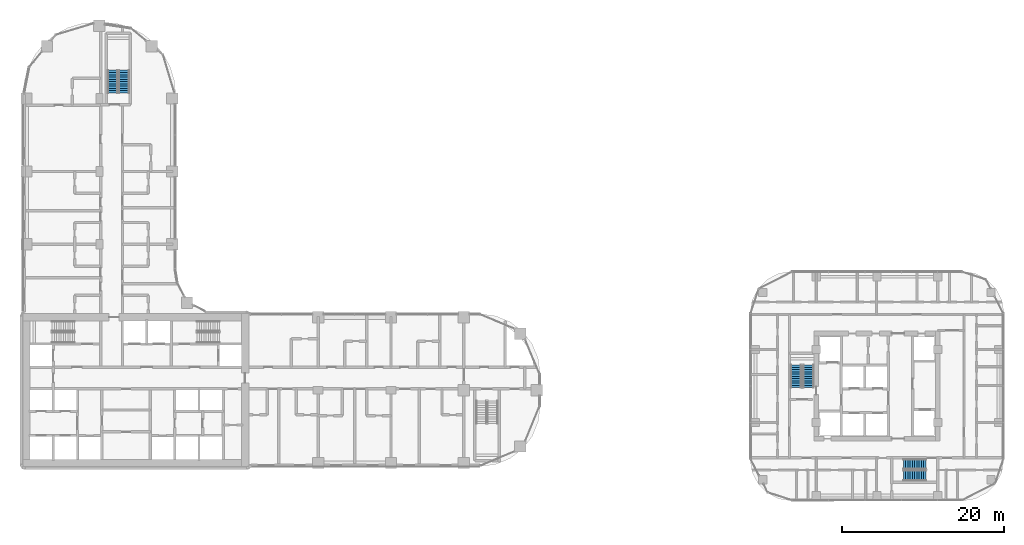
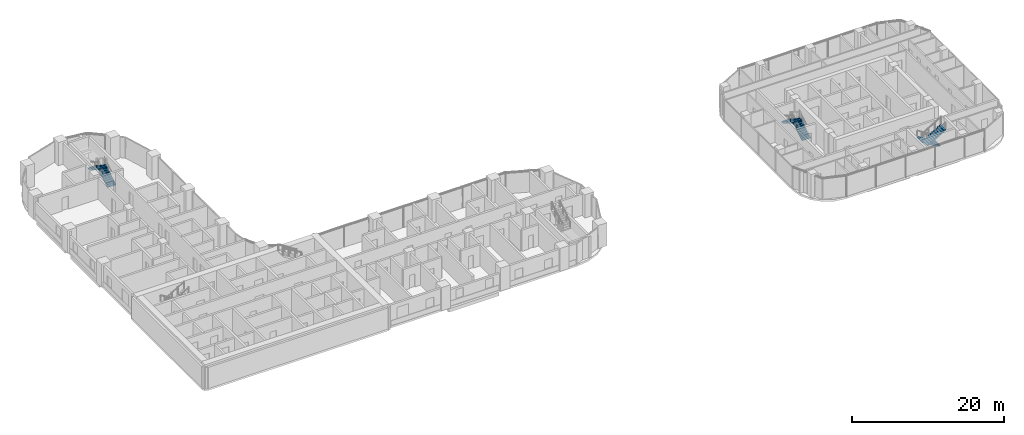
# One storey, part 26 of 31: 6 stair flights, 3 elements without a shape of their own.
"""IFC4 building model written with IfcOpenShell, lengths in metres."""

from ifc_helpers import new_model, si_unit, direction, frame, origin, place, context, subcontext, project, spatial, triangles, source, transform, mapped, material, type_object, element, aggregate, save


model = new_model("IFC4")

# Units and contexts
model_context = context("Model", 3, precision=1e-05, world=origin(), true_north=direction((0.0, 1.0)))
body_context = subcontext(model_context, "Body", "Model", "MODEL_VIEW")
ifc_project = project(units=[si_unit("LENGTHUNIT", "METRE"), si_unit("AREAUNIT", "SQUARE_METRE"), si_unit("VOLUMEUNIT", "CUBIC_METRE"), si_unit("PLANEANGLEUNIT", "RADIAN"), si_unit("MASSUNIT", "GRAM", prefix="KILO")], contexts=[model_context])

# Site, building, storey
site_placement = place(None, origin())
site = spatial("IfcSite", under=ifc_project, at=site_placement, CompositionType="ELEMENT")
building_placement = place(site_placement, origin())
building = spatial("IfcBuilding", under=site, at=building_placement, Name="Ogive Portal Towers", CompositionType="ELEMENT")
storey_placement = place(building_placement, frame((0.0, 0.0, 40.89990234375)))
storey = spatial("IfcBuildingStorey", under=building, at=storey_placement, Name="L08", CompositionType="ELEMENT", Elevation=40.89990234375)

# Stair, stair flights
ifc_material = material(Name="Concrete C40/50", Category="concrete")
stair_type = type_object("IfcStairType", Name="INT-STAIR", PredefinedType="HALF_TURN_STAIR", material=ifc_material)
stair_1_placement = place(storey_placement, origin())
stair_1 = element("IfcStair", 1, at=stair_1_placement, inside=storey, type_object=stair_type, Name="L08 Exit Stair ST-A3", PredefinedType="HALF_TURN_STAIR")
stair_flight_type = type_object("IfcStairFlightType", Name="INT-FLIGHT", PredefinedType="STRAIGHT", material=ifc_material)
shared_shape = source(origin(), body_context, "Body", "Tessellation", [
    triangles([(0.0, -0.650146484375, 0.0), (0.0, -0.376220703125, 0.0), (0.0, -0.192626953125, 0.0), (0.0, -0.081298828125, 0.0), (0.0, -0.024169921875, 0.0), (0.0, -0.003173828125, 0.0), (0.0, 0.0, 0.0), (0.0, 0.0029296875, 0.0), (0.0, 0.02392578125, 0.0), (0.0, 0.0810546875, 0.0), (0.0, 0.1923828125, 0.0), (0.0, 0.3759765625, 0.0), (0.0, 0.64990234375, 0.0), (0.0, -0.650146484375, 0.168212890625), (0.0, -0.376220703125, 0.168212890625), (0.0, -0.192626953125, 0.168212890625), (0.0, -0.081298828125, 0.168212890625), (0.0, -0.024169921875, 0.168212890625), (0.0, -0.003173828125, 0.168212890625), (0.0, 0.0, 0.168212890625), (0.0, 0.0029296875, 0.168212890625), (0.0, 0.02392578125, 0.168212890625), (0.0, 0.0810546875, 0.168212890625), (0.0, 0.1923828125, 0.168212890625), (0.0, 0.3759765625, 0.168212890625), (0.0, 0.64990234375, 0.168212890625), (0.280029296875, -0.650146484375, 0.168212890625), (0.280029296875, -0.376220703125, 0.168212890625), (0.280029296875, -0.192626953125, 0.168212890625), (0.280029296875, -0.081298828125, 0.168212890625), (0.280029296875, -0.024169921875, 0.168212890625), (0.280029296875, -0.003173828125, 0.168212890625), (0.280029296875, 0.0, 0.168212890625), (0.280029296875, 0.0029296875, 0.168212890625), (0.280029296875, 0.02392578125, 0.168212890625), (0.280029296875, 0.0810546875, 0.168212890625), (0.280029296875, 0.1923828125, 0.168212890625), (0.280029296875, 0.3759765625, 0.168212890625), (0.280029296875, 0.64990234375, 0.168212890625), (0.280029296875, -0.650146484375, 0.33642578125), (0.280029296875, -0.376220703125, 0.33642578125), (0.280029296875, -0.192626953125, 0.33642578125), (0.280029296875, -0.081298828125, 0.33642578125), (0.280029296875, -0.024169921875, 0.33642578125), (0.280029296875, -0.003173828125, 0.33642578125), (0.280029296875, 0.0, 0.33642578125), (0.280029296875, 0.0029296875, 0.33642578125), (0.280029296875, 0.02392578125, 0.33642578125), (0.280029296875, 0.0810546875, 0.33642578125), (0.280029296875, 0.1923828125, 0.33642578125), (0.280029296875, 0.3759765625, 0.33642578125), (0.280029296875, 0.64990234375, 0.33642578125), (0.56005859375, -0.650146484375, 0.33642578125), (0.56005859375, -0.376220703125, 0.33642578125), (0.56005859375, -0.192626953125, 0.33642578125), (0.56005859375, -0.081298828125, 0.33642578125), (0.56005859375, -0.024169921875, 0.33642578125), (0.56005859375, -0.003173828125, 0.33642578125), (0.56005859375, 0.0, 0.33642578125), (0.56005859375, 0.0029296875, 0.33642578125), (0.56005859375, 0.02392578125, 0.33642578125), (0.56005859375, 0.0810546875, 0.33642578125), (0.56005859375, 0.1923828125, 0.33642578125), (0.56005859375, 0.3759765625, 0.33642578125), (0.56005859375, 0.64990234375, 0.33642578125), (0.56005859375, -0.650146484375, 0.504638671875), (0.56005859375, -0.376220703125, 0.504638671875), (0.56005859375, -0.192626953125, 0.504638671875), (0.56005859375, -0.081298828125, 0.504638671875), (0.56005859375, -0.024169921875, 0.504638671875), (0.56005859375, -0.003173828125, 0.504638671875), (0.56005859375, 0.0, 0.504638671875), (0.56005859375, 0.0029296875, 0.504638671875), (0.56005859375, 0.02392578125, 0.504638671875), (0.56005859375, 0.0810546875, 0.504638671875), (0.56005859375, 0.1923828125, 0.504638671875), (0.56005859375, 0.3759765625, 0.504638671875), (0.56005859375, 0.64990234375, 0.504638671875), (0.840087890625, -0.650146484375, 0.504638671875), (0.840087890625, -0.376220703125, 0.504638671875), (0.840087890625, -0.192626953125, 0.504638671875), (0.840087890625, -0.081298828125, 0.504638671875), (0.840087890625, -0.024169921875, 0.504638671875), (0.840087890625, -0.003173828125, 0.504638671875), (0.840087890625, 0.0, 0.504638671875), (0.840087890625, 0.0029296875, 0.504638671875), (0.840087890625, 0.02392578125, 0.504638671875), (0.840087890625, 0.0810546875, 0.504638671875), (0.840087890625, 0.1923828125, 0.504638671875), (0.840087890625, 0.3759765625, 0.504638671875), (0.840087890625, 0.64990234375, 0.504638671875), (0.840087890625, -0.650146484375, 0.672607421875), (0.840087890625, -0.376220703125, 0.672607421875), (0.840087890625, -0.192626953125, 0.672607421875), (0.840087890625, -0.081298828125, 0.672607421875), (0.840087890625, -0.024169921875, 0.672607421875), (0.840087890625, -0.003173828125, 0.672607421875), (0.840087890625, 0.0, 0.672607421875), (0.840087890625, 0.0029296875, 0.672607421875), (0.840087890625, 0.02392578125, 0.672607421875), (0.840087890625, 0.0810546875, 0.672607421875), (0.840087890625, 0.1923828125, 0.672607421875), (0.840087890625, 0.3759765625, 0.672607421875), (0.840087890625, 0.64990234375, 0.672607421875), (1.1201171875, -0.650146484375, 0.672607421875), (1.1201171875, -0.376220703125, 0.672607421875), (1.1201171875, -0.192626953125, 0.672607421875), (1.1201171875, -0.081298828125, 0.672607421875), (1.1201171875, -0.024169921875, 0.672607421875), (1.1201171875, -0.003173828125, 0.672607421875), (1.1201171875, 0.0, 0.672607421875), (1.1201171875, 0.0029296875, 0.672607421875), (1.1201171875, 0.02392578125, 0.672607421875), (1.1201171875, 0.0810546875, 0.672607421875), (1.1201171875, 0.1923828125, 0.672607421875), (1.1201171875, 0.3759765625, 0.672607421875), (1.1201171875, 0.64990234375, 0.672607421875), (1.1201171875, -0.650146484375, 0.8408203125), (1.1201171875, -0.376220703125, 0.8408203125), (1.1201171875, -0.192626953125, 0.8408203125), (1.1201171875, -0.081298828125, 0.8408203125), (1.1201171875, -0.024169921875, 0.8408203125), (1.1201171875, -0.003173828125, 0.8408203125), (1.1201171875, 0.0, 0.8408203125), (1.1201171875, 0.0029296875, 0.8408203125), (1.1201171875, 0.02392578125, 0.8408203125), (1.1201171875, 0.0810546875, 0.8408203125), (1.1201171875, 0.1923828125, 0.8408203125), (1.1201171875, 0.3759765625, 0.8408203125), (1.1201171875, 0.64990234375, 0.8408203125), (1.39990234375, -0.650146484375, 0.8408203125), (1.39990234375, -0.376220703125, 0.8408203125), (1.39990234375, -0.192626953125, 0.8408203125), (1.39990234375, -0.081298828125, 0.8408203125), (1.39990234375, -0.024169921875, 0.8408203125), (1.39990234375, -0.003173828125, 0.8408203125), (1.39990234375, 0.0, 0.8408203125), (1.39990234375, 0.0029296875, 0.8408203125), (1.39990234375, 0.02392578125, 0.8408203125), (1.39990234375, 0.0810546875, 0.8408203125), (1.39990234375, 0.1923828125, 0.8408203125), (1.39990234375, 0.3759765625, 0.8408203125), (1.39990234375, 0.64990234375, 0.8408203125), (1.39990234375, -0.650146484375, 1.009033203125), (1.39990234375, -0.376220703125, 1.009033203125), (1.39990234375, -0.192626953125, 1.009033203125), (1.39990234375, -0.081298828125, 1.009033203125), (1.39990234375, -0.024169921875, 1.009033203125), (1.39990234375, -0.003173828125, 1.009033203125), (1.39990234375, 0.0, 1.009033203125), (1.39990234375, 0.0029296875, 1.009033203125), (1.39990234375, 0.02392578125, 1.009033203125), (1.39990234375, 0.0810546875, 1.009033203125), (1.39990234375, 0.1923828125, 1.009033203125), (1.39990234375, 0.3759765625, 1.009033203125), (1.39990234375, 0.64990234375, 1.009033203125), (1.679931640625, -0.650146484375, 1.009033203125), (1.679931640625, -0.376220703125, 1.009033203125), (1.679931640625, -0.192626953125, 1.009033203125), (1.679931640625, -0.081298828125, 1.009033203125), (1.679931640625, -0.024169921875, 1.009033203125), (1.679931640625, -0.003173828125, 1.009033203125), (1.679931640625, 0.0, 1.009033203125), (1.679931640625, 0.0029296875, 1.009033203125), (1.679931640625, 0.02392578125, 1.009033203125), (1.679931640625, 0.0810546875, 1.009033203125), (1.679931640625, 0.1923828125, 1.009033203125), (1.679931640625, 0.3759765625, 1.009033203125), (1.679931640625, 0.64990234375, 1.009033203125), (1.679931640625, -0.650146484375, 1.17724609375), (1.679931640625, -0.376220703125, 1.17724609375), (1.679931640625, -0.192626953125, 1.17724609375), (1.679931640625, -0.081298828125, 1.17724609375), (1.679931640625, -0.024169921875, 1.17724609375), (1.679931640625, -0.003173828125, 1.17724609375), (1.679931640625, 0.0, 1.17724609375), (1.679931640625, 0.0029296875, 1.17724609375), (1.679931640625, 0.02392578125, 1.17724609375), (1.679931640625, 0.0810546875, 1.17724609375), (1.679931640625, 0.1923828125, 1.17724609375), (1.679931640625, 0.3759765625, 1.17724609375), (1.679931640625, 0.64990234375, 1.17724609375), (1.9599609375, -0.650146484375, 1.17724609375), (1.9599609375, -0.376220703125, 1.17724609375), (1.9599609375, -0.192626953125, 1.17724609375), (1.9599609375, -0.081298828125, 1.17724609375), (1.9599609375, -0.024169921875, 1.17724609375), (1.9599609375, -0.003173828125, 1.17724609375), (1.9599609375, 0.0, 1.17724609375), (1.9599609375, 0.0029296875, 1.17724609375), (1.9599609375, 0.02392578125, 1.17724609375), (1.9599609375, 0.0810546875, 1.17724609375), (1.9599609375, 0.1923828125, 1.17724609375), (1.9599609375, 0.3759765625, 1.17724609375), (1.9599609375, 0.64990234375, 1.17724609375), (1.9599609375, -0.650146484375, 1.345458984375), (1.9599609375, -0.376220703125, 1.345458984375), (1.9599609375, -0.192626953125, 1.345458984375), (1.9599609375, -0.081298828125, 1.345458984375), (1.9599609375, -0.024169921875, 1.345458984375), (1.9599609375, -0.003173828125, 1.345458984375), (1.9599609375, 0.0, 1.345458984375), (1.9599609375, 0.0029296875, 1.345458984375), (1.9599609375, 0.02392578125, 1.345458984375), (1.9599609375, 0.0810546875, 1.345458984375), (1.9599609375, 0.1923828125, 1.345458984375), (1.9599609375, 0.3759765625, 1.345458984375), (1.9599609375, 0.64990234375, 1.345458984375), (2.239990234375, -0.650146484375, 1.345458984375), (2.239990234375, -0.376220703125, 1.345458984375), (2.239990234375, -0.192626953125, 1.345458984375), (2.239990234375, -0.081298828125, 1.345458984375), (2.239990234375, -0.024169921875, 1.345458984375), (2.239990234375, -0.003173828125, 1.345458984375), (2.239990234375, 0.0, 1.345458984375), (2.239990234375, 0.0029296875, 1.345458984375), (2.239990234375, 0.02392578125, 1.345458984375), (2.239990234375, 0.0810546875, 1.345458984375), (2.239990234375, 0.1923828125, 1.345458984375), (2.239990234375, 0.3759765625, 1.345458984375), (2.239990234375, 0.64990234375, 1.345458984375), (2.239990234375, -0.650146484375, 1.513671875), (2.239990234375, -0.376220703125, 1.513671875), (2.239990234375, -0.192626953125, 1.513671875), (2.239990234375, -0.081298828125, 1.513671875), (2.239990234375, -0.024169921875, 1.513671875), (2.239990234375, -0.003173828125, 1.513671875), (2.239990234375, 0.0, 1.513671875), (2.239990234375, 0.0029296875, 1.513671875), (2.239990234375, 0.02392578125, 1.513671875), (2.239990234375, 0.0810546875, 1.513671875), (2.239990234375, 0.1923828125, 1.513671875), (2.239990234375, 0.3759765625, 1.513671875), (2.239990234375, 0.64990234375, 1.513671875), (2.52001953125, -0.650146484375, 1.513671875), (2.52001953125, -0.376220703125, 1.513671875), (2.52001953125, -0.192626953125, 1.513671875), (2.52001953125, -0.081298828125, 1.513671875), (2.52001953125, -0.024169921875, 1.513671875), (2.52001953125, -0.003173828125, 1.513671875), (2.52001953125, 0.0, 1.513671875), (2.52001953125, 0.0029296875, 1.513671875), (2.52001953125, 0.02392578125, 1.513671875), (2.52001953125, 0.0810546875, 1.513671875), (2.52001953125, 0.1923828125, 1.513671875), (2.52001953125, 0.3759765625, 1.513671875), (2.52001953125, 0.64990234375, 1.513671875), (2.52001953125, -0.650146484375, 1.681884765625), (2.52001953125, -0.376220703125, 1.681884765625), (2.52001953125, -0.192626953125, 1.681884765625), (2.52001953125, -0.081298828125, 1.681884765625), (2.52001953125, -0.024169921875, 1.681884765625), (2.52001953125, -0.003173828125, 1.681884765625), (2.52001953125, 0.0, 1.681884765625), (2.52001953125, 0.0029296875, 1.681884765625), (2.52001953125, 0.02392578125, 1.681884765625), (2.52001953125, 0.0810546875, 1.681884765625), (2.52001953125, 0.1923828125, 1.681884765625), (2.52001953125, 0.3759765625, 1.681884765625), (2.52001953125, 0.64990234375, 1.681884765625), (2.800048828125, -0.650146484375, 1.681884765625), (2.800048828125, -0.376220703125, 1.681884765625), (2.800048828125, -0.192626953125, 1.681884765625), (2.800048828125, -0.081298828125, 1.681884765625), (2.800048828125, -0.024169921875, 1.681884765625), (2.800048828125, -0.003173828125, 1.681884765625), (2.800048828125, 0.0, 1.681884765625), (2.800048828125, 0.0029296875, 1.681884765625), (2.800048828125, 0.02392578125, 1.681884765625), (2.800048828125, 0.0810546875, 1.681884765625), (2.800048828125, 0.1923828125, 1.681884765625), (2.800048828125, 0.3759765625, 1.681884765625), (2.800048828125, 0.64990234375, 1.681884765625), (2.800048828125, -0.650146484375, 1.5068359375), (2.800048828125, -0.376220703125, 1.5068359375), (2.800048828125, -0.192626953125, 1.5068359375), (2.800048828125, -0.081298828125, 1.5068359375), (2.800048828125, -0.024169921875, 1.5068359375), (2.800048828125, -0.003173828125, 1.5068359375), (2.800048828125, 0.0, 1.5068359375), (2.800048828125, 0.0029296875, 1.5068359375), (2.800048828125, 0.02392578125, 1.5068359375), (2.800048828125, 0.0810546875, 1.5068359375), (2.800048828125, 0.1923828125, 1.5068359375), (2.800048828125, 0.3759765625, 1.5068359375), (2.800048828125, 0.64990234375, 1.5068359375), (0.291015625, -0.650146484375, 0.0), (0.291015625, -0.376220703125, 0.0), (0.291015625, -0.192626953125, 0.0), (0.291015625, -0.081298828125, 0.0), (0.291015625, -0.024169921875, 0.0), (0.291015625, -0.003173828125, 0.0), (0.291015625, 0.0, 0.0), (0.291015625, 0.0029296875, 0.0), (0.291015625, 0.02392578125, 0.0), (0.291015625, 0.0810546875, 0.0), (0.291015625, 0.1923828125, 0.0), (0.291015625, 0.3759765625, 0.0), (0.291015625, 0.64990234375, 0.0)], [[1, 14, 15], [1, 15, 2], [2, 15, 16], [2, 16, 3], [3, 16, 17], [3, 17, 4], [4, 17, 18], [4, 18, 5], [5, 18, 19], [5, 19, 6], [6, 19, 20], [6, 20, 7], [7, 20, 21], [7, 21, 8], [8, 21, 22], [8, 22, 9], [9, 22, 23], [9, 23, 10], [10, 23, 24], [10, 24, 11], [11, 24, 25], [11, 25, 12], [12, 25, 26], [12, 26, 13], [14, 27, 28], [14, 28, 15], [15, 28, 29], [15, 29, 16], [16, 29, 30], [16, 30, 17], [17, 30, 31], [17, 31, 18], [18, 31, 32], [18, 32, 19], [19, 32, 33], [19, 33, 20], [20, 33, 34], [20, 34, 21], [21, 34, 35], [21, 35, 22], [22, 35, 36], [22, 36, 23], [23, 36, 37], [23, 37, 24], [24, 37, 38], [24, 38, 25], [25, 38, 39], [25, 39, 26], [27, 40, 41], [27, 41, 28], [28, 41, 42], [28, 42, 29], [29, 42, 43], [29, 43, 30], [30, 43, 44], [30, 44, 31], [31, 44, 45], [31, 45, 32], [32, 45, 46], [32, 46, 33], [33, 46, 47], [33, 47, 34], [34, 47, 48], [34, 48, 35], [35, 48, 49], [35, 49, 36], [36, 49, 50], [36, 50, 37], [37, 50, 51], [37, 51, 38], [38, 51, 52], [38, 52, 39], [40, 53, 54], [40, 54, 41], [41, 54, 55], [41, 55, 42], [42, 55, 56], [42, 56, 43], [43, 56, 57], [43, 57, 44], [44, 57, 58], [44, 58, 45], [45, 58, 59], [45, 59, 46], [46, 59, 60], [46, 60, 47], [47, 60, 61], [47, 61, 48], [48, 61, 62], [48, 62, 49], [49, 62, 63], [49, 63, 50], [50, 63, 64], [50, 64, 51], [51, 64, 65], [51, 65, 52], [53, 66, 67], [53, 67, 54], [54, 67, 68], [54, 68, 55], [55, 68, 69], [55, 69, 56], [56, 69, 70], [56, 70, 57], [57, 70, 71], [57, 71, 58], [58, 71, 72], [58, 72, 59], [59, 72, 73], [59, 73, 60], [60, 73, 74], [60, 74, 61], [61, 74, 75], [61, 75, 62], [62, 75, 76], [62, 76, 63], [63, 76, 77], [63, 77, 64], [64, 77, 78], [64, 78, 65], [66, 79, 80], [66, 80, 67], [67, 80, 81], [67, 81, 68], [68, 81, 82], [68, 82, 69], [69, 82, 83], [69, 83, 70], [70, 83, 84], [70, 84, 71], [71, 84, 85], [71, 85, 72], [72, 85, 86], [72, 86, 73], [73, 86, 87], [73, 87, 74], [74, 87, 88], [74, 88, 75], [75, 88, 89], [75, 89, 76], [76, 89, 90], [76, 90, 77], [77, 90, 91], [77, 91, 78], [79, 92, 93], [79, 93, 80], [80, 93, 94], [80, 94, 81], [81, 94, 95], [81, 95, 82], [82, 95, 96], [82, 96, 83], [83, 96, 97], [83, 97, 84], [84, 97, 98], [84, 98, 85], [85, 98, 99], [85, 99, 86], [86, 99, 100], [86, 100, 87], [87, 100, 101], [87, 101, 88], [88, 101, 102], [88, 102, 89], [89, 102, 103], [89, 103, 90], [90, 103, 104], [90, 104, 91], [92, 105, 106], [92, 106, 93], [93, 106, 107], [93, 107, 94], [94, 107, 108], [94, 108, 95], [95, 108, 109], [95, 109, 96], [96, 109, 110], [96, 110, 97], [97, 110, 111], [97, 111, 98], [98, 111, 112], [98, 112, 99], [99, 112, 113], [99, 113, 100], [100, 113, 114], [100, 114, 101], [101, 114, 115], [101, 115, 102], [102, 115, 116], [102, 116, 103], [103, 116, 117], [103, 117, 104], [105, 118, 119], [105, 119, 106], [106, 119, 120], [106, 120, 107], [107, 120, 121], [107, 121, 108], [108, 121, 122], [108, 122, 109], [109, 122, 123], [109, 123, 110], [110, 123, 124], [110, 124, 111], [111, 124, 125], [111, 125, 112], [112, 125, 126], [112, 126, 113], [113, 126, 127], [113, 127, 114], [114, 127, 128], [114, 128, 115], [115, 128, 129], [115, 129, 116], [116, 129, 130], [116, 130, 117], [118, 131, 132], [118, 132, 119], [119, 132, 133], [119, 133, 120], [120, 133, 134], [120, 134, 121], [121, 134, 135], [121, 135, 122], [122, 135, 136], [122, 136, 123], [123, 136, 137], [123, 137, 124], [124, 137, 138], [124, 138, 125], [125, 138, 139], [125, 139, 126], [126, 139, 140], [126, 140, 127], [127, 140, 141], [127, 141, 128], [128, 141, 142], [128, 142, 129], [129, 142, 143], [129, 143, 130], [131, 144, 145], [131, 145, 132], [132, 145, 146], [132, 146, 133], [133, 146, 147], [133, 147, 134], [134, 147, 148], [134, 148, 135], [135, 148, 149], [135, 149, 136], [136, 149, 150], [136, 150, 137], [137, 150, 151], [137, 151, 138], [138, 151, 152], [138, 152, 139], [139, 152, 153], [139, 153, 140], [140, 153, 154], [140, 154, 141], [141, 154, 155], [141, 155, 142], [142, 155, 156], [142, 156, 143], [144, 157, 158], [144, 158, 145], [145, 158, 159], [145, 159, 146], [146, 159, 160], [146, 160, 147], [147, 160, 161], [147, 161, 148], [148, 161, 162], [148, 162, 149], [149, 162, 163], [149, 163, 150], [150, 163, 164], [150, 164, 151], [151, 164, 165], [151, 165, 152], [152, 165, 166], [152, 166, 153], [153, 166, 167], [153, 167, 154], [154, 167, 168], [154, 168, 155], [155, 168, 169], [155, 169, 156], [157, 170, 171], [157, 171, 158], [158, 171, 172], [158, 172, 159], [159, 172, 173], [159, 173, 160], [160, 173, 174], [160, 174, 161], [161, 174, 175], [161, 175, 162], [162, 175, 176], [162, 176, 163], [163, 176, 177], [163, 177, 164], [164, 177, 178], [164, 178, 165], [165, 178, 179], [165, 179, 166], [166, 179, 180], [166, 180, 167], [167, 180, 181], [167, 181, 168], [168, 181, 182], [168, 182, 169], [170, 183, 184], [170, 184, 171], [171, 184, 185], [171, 185, 172], [172, 185, 186], [172, 186, 173], [173, 186, 187], [173, 187, 174], [174, 187, 188], [174, 188, 175], [175, 188, 189], [175, 189, 176], [176, 189, 190], [176, 190, 177], [177, 190, 191], [177, 191, 178], [178, 191, 192], [178, 192, 179], [179, 192, 193], [179, 193, 180], [180, 193, 194], [180, 194, 181], [181, 194, 195], [181, 195, 182], [183, 196, 197], [183, 197, 184], [184, 197, 198], [184, 198, 185], [185, 198, 199], [185, 199, 186], [186, 199, 200], [186, 200, 187], [187, 200, 201], [187, 201, 188], [188, 201, 202], [188, 202, 189], [189, 202, 203], [189, 203, 190], [190, 203, 204], [190, 204, 191], [191, 204, 205], [191, 205, 192], [192, 205, 206], [192, 206, 193], [193, 206, 207], [193, 207, 194], [194, 207, 208], [194, 208, 195], [196, 209, 210], [196, 210, 197], [197, 210, 211], [197, 211, 198], [198, 211, 212], [198, 212, 199], [199, 212, 213], [199, 213, 200], [200, 213, 214], [200, 214, 201], [201, 214, 215], [201, 215, 202], [202, 215, 216], [202, 216, 203], [203, 216, 217], [203, 217, 204], [204, 217, 218], [204, 218, 205], [205, 218, 219], [205, 219, 206], [206, 219, 220], [206, 220, 207], [207, 220, 221], [207, 221, 208], [209, 222, 223], [209, 223, 210], [210, 223, 224], [210, 224, 211], [211, 224, 225], [211, 225, 212], [212, 225, 226], [212, 226, 213], [213, 226, 227], [213, 227, 214], [214, 227, 228], [214, 228, 215], [215, 228, 229], [215, 229, 216], [216, 229, 230], [216, 230, 217], [217, 230, 231], [217, 231, 218], [218, 231, 232], [218, 232, 219], [219, 232, 233], [219, 233, 220], [220, 233, 234], [220, 234, 221], [222, 235, 236], [222, 236, 223], [223, 236, 237], [223, 237, 224], [224, 237, 238], [224, 238, 225], [225, 238, 239], [225, 239, 226], [226, 239, 240], [226, 240, 227], [227, 240, 241], [227, 241, 228], [228, 241, 242], [228, 242, 229], [229, 242, 243], [229, 243, 230], [230, 243, 244], [230, 244, 231], [231, 244, 245], [231, 245, 232], [232, 245, 246], [232, 246, 233], [233, 246, 247], [233, 247, 234], [235, 248, 249], [235, 249, 236], [236, 249, 250], [236, 250, 237], [237, 250, 251], [237, 251, 238], [238, 251, 252], [238, 252, 239], [239, 252, 253], [239, 253, 240], [240, 253, 254], [240, 254, 241], [241, 254, 255], [241, 255, 242], [242, 255, 256], [242, 256, 243], [243, 256, 257], [243, 257, 244], [244, 257, 258], [244, 258, 245], [245, 258, 259], [245, 259, 246], [246, 259, 260], [246, 260, 247], [248, 261, 262], [248, 262, 249], [249, 262, 263], [249, 263, 250], [250, 263, 264], [250, 264, 251], [251, 264, 265], [251, 265, 252], [252, 265, 266], [252, 266, 253], [253, 266, 267], [253, 267, 254], [254, 267, 268], [254, 268, 255], [255, 268, 269], [255, 269, 256], [256, 269, 270], [256, 270, 257], [257, 270, 271], [257, 271, 258], [258, 271, 272], [258, 272, 259], [259, 272, 273], [259, 273, 260], [261, 274, 275], [261, 275, 262], [262, 275, 276], [262, 276, 263], [263, 276, 277], [263, 277, 264], [264, 277, 278], [264, 278, 265], [265, 278, 279], [265, 279, 266], [266, 279, 280], [266, 280, 267], [267, 280, 281], [267, 281, 268], [268, 281, 282], [268, 282, 269], [269, 282, 283], [269, 283, 270], [270, 283, 284], [270, 284, 271], [271, 284, 285], [271, 285, 272], [272, 285, 286], [272, 286, 273], [274, 287, 288], [274, 288, 275], [275, 288, 289], [275, 289, 276], [276, 289, 290], [276, 290, 277], [277, 290, 291], [277, 291, 278], [278, 291, 292], [278, 292, 279], [279, 292, 293], [279, 293, 280], [280, 293, 294], [280, 294, 281], [281, 294, 295], [281, 295, 282], [282, 295, 296], [282, 296, 283], [283, 296, 297], [283, 297, 284], [284, 297, 298], [284, 298, 285], [285, 298, 299], [285, 299, 286], [287, 1, 2], [287, 2, 288], [288, 2, 3], [288, 3, 289], [289, 3, 4], [289, 4, 290], [290, 4, 5], [290, 5, 291], [291, 5, 6], [291, 6, 292], [292, 6, 7], [292, 7, 293], [293, 7, 8], [293, 8, 294], [294, 8, 9], [294, 9, 295], [295, 9, 10], [295, 10, 296], [296, 10, 11], [296, 11, 297], [297, 11, 12], [297, 12, 298], [298, 12, 13], [298, 13, 299], [1, 287, 274], [13, 286, 299], [274, 261, 248], [286, 260, 273], [274, 248, 235], [286, 247, 260], [274, 235, 222], [286, 234, 247], [274, 222, 209], [286, 221, 234], [209, 196, 183], [221, 195, 208], [274, 209, 183], [286, 195, 221], [183, 170, 157], [195, 169, 182], [274, 183, 157], [286, 169, 195], [157, 144, 131], [169, 143, 156], [274, 157, 131], [286, 143, 169], [131, 118, 105], [143, 117, 130], [274, 131, 105], [286, 117, 143], [1, 274, 105], [13, 117, 286], [105, 92, 79], [117, 91, 104], [79, 66, 53], [91, 65, 78], [105, 79, 53], [117, 65, 91], [53, 40, 27], [65, 39, 52], [105, 53, 27], [117, 39, 65], [1, 105, 27], [13, 39, 117], [27, 14, 1], [39, 13, 26]], closed=True),
])
stair_flight_1_placement = place(storey_placement, frame((43.550048828125, 67.199951171875, 0.0), z_axis=(0.0, 0.0, 1.0), x_axis=(0.0, 1.0, 0.0)))
stair_flight_1 = element("IfcStairFlight", 2, at=stair_flight_1_placement, type_object=stair_flight_type, Name="ST-A3 flight 1", NumberOfRisers=11, NumberOfTreads=10, PredefinedType="STRAIGHT", RiserHeight=0.168181818, TreadLength=0.28, context=body_context, shape_type="MappedRepresentation", body=[
    mapped(shared_shape, transform((0.0, 0.0, 0.0), scale=1.0)),
])
stair_flight_2_placement = place(storey_placement, frame((42.14990234375, 70.0, 1.85009765625), z_axis=(0.0, 0.0, 1.0), x_axis=(0.0, -1.0, 0.0)))
stair_flight_2 = element("IfcStairFlight", 3, at=stair_flight_2_placement, type_object=stair_flight_type, Name="ST-A3 flight 2", NumberOfRisers=11, NumberOfTreads=10, PredefinedType="STRAIGHT", RiserHeight=0.168181818, TreadLength=0.28, context=body_context, shape_type="MappedRepresentation", body=[
    mapped(shared_shape, transform((0.0, 0.0, 0.0), scale=1.0)),
])
aggregate(stair_1, [stair_flight_1, stair_flight_2])

stair_2_placement = place(storey_placement, origin())
stair_2 = element("IfcStair", 4, at=stair_2_placement, inside=storey, type_object=stair_type, Name="L08 Exit Stair ST-B1", PredefinedType="HALF_TURN_STAIR")
stair_flight_3_placement = place(storey_placement, frame((128.050048828125, 30.800048828125, 0.0), z_axis=(0.0, 0.0, 1.0), x_axis=(0.0, 1.0, 0.0)))
stair_flight_3 = element("IfcStairFlight", 5, at=stair_flight_3_placement, type_object=stair_flight_type, Name="ST-B1 flight 1", NumberOfRisers=11, NumberOfTreads=10, PredefinedType="STRAIGHT", RiserHeight=0.168181818, TreadLength=0.28, context=body_context, shape_type="MappedRepresentation", body=[
    mapped(shared_shape, transform((0.0, 0.0, 0.0), scale=1.0)),
])
stair_flight_4_placement = place(storey_placement, frame((126.5, 33.60009765625, 1.85009765625), z_axis=(0.0, 0.0, 1.0), x_axis=(0.0, -1.0, 0.0)))
stair_flight_4 = element("IfcStairFlight", 6, at=stair_flight_4_placement, type_object=stair_flight_type, Name="ST-B1 flight 2", NumberOfRisers=11, NumberOfTreads=10, PredefinedType="STRAIGHT", RiserHeight=0.168181818, TreadLength=0.28, context=body_context, shape_type="MappedRepresentation", body=[
    mapped(shared_shape, transform((0.0, 0.0, 0.0), scale=1.0)),
])
aggregate(stair_2, [stair_flight_3, stair_flight_4])

stair_3_placement = place(storey_placement, origin())
stair_3 = element("IfcStair", 7, at=stair_3_placement, inside=storey, type_object=stair_type, Name="L08 Exit Stair ST-B2", PredefinedType="HALF_TURN_STAIR")
stair_flight_5_placement = place(storey_placement, frame((142.550048828125, 21.35009765625, 0.0), z_axis=(0.0, 0.0, 1.0), x_axis=(-1.0, 0.0, 0.0)))
stair_flight_5 = element("IfcStairFlight", 8, at=stair_flight_5_placement, type_object=stair_flight_type, Name="ST-B2 flight 1", NumberOfRisers=11, NumberOfTreads=10, PredefinedType="STRAIGHT", RiserHeight=0.168181818, TreadLength=0.28, context=body_context, shape_type="MappedRepresentation", body=[
    mapped(shared_shape, transform((0.0, 0.0, 0.0), scale=1.0)),
])
stair_flight_6_placement = place(storey_placement, frame((139.75, 19.949951171875, 1.85009765625), z_axis=(0.0, 0.0, 1.0), x_axis=(1.0, 0.0, 0.0)))
stair_flight_6 = element("IfcStairFlight", 9, at=stair_flight_6_placement, type_object=stair_flight_type, Name="ST-B2 flight 2", NumberOfRisers=11, NumberOfTreads=10, PredefinedType="STRAIGHT", RiserHeight=0.168181818, TreadLength=0.28, context=body_context, shape_type="MappedRepresentation", body=[
    mapped(shared_shape, transform((0.0, 0.0, 0.0), scale=1.0)),
])
aggregate(stair_3, [stair_flight_5, stair_flight_6])

save(model, "model.ifc")
